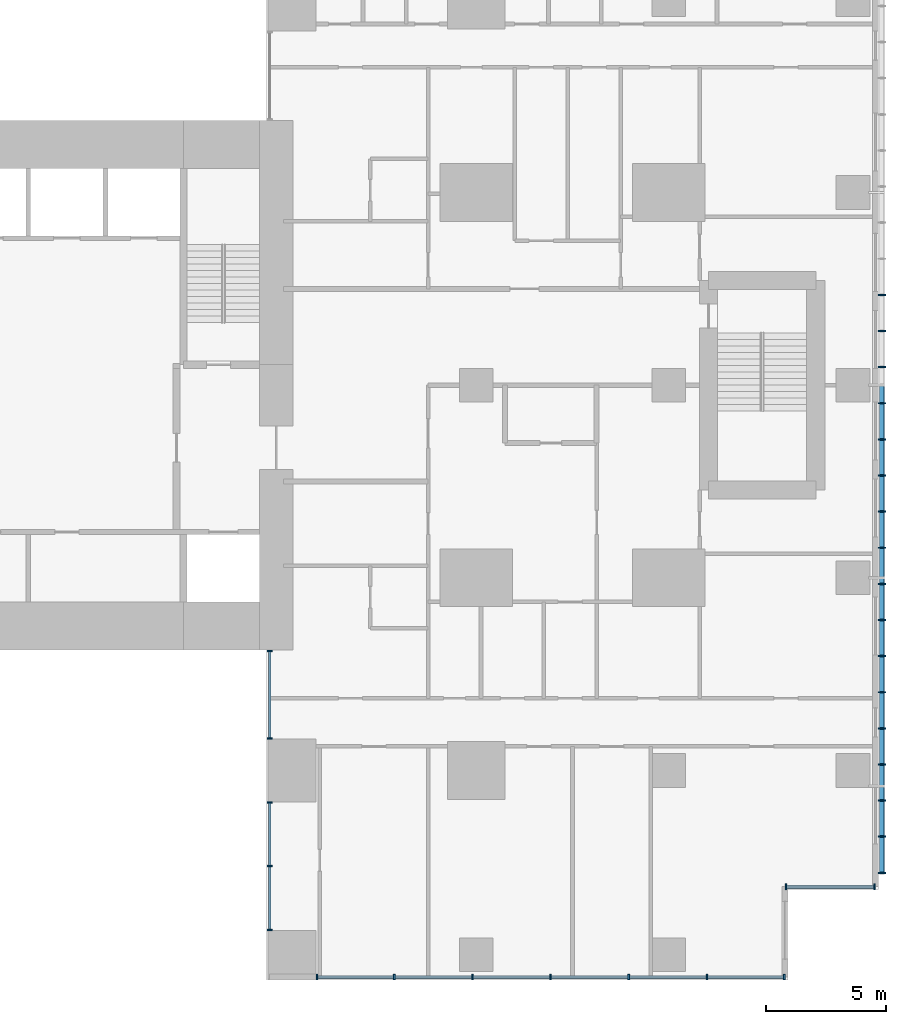
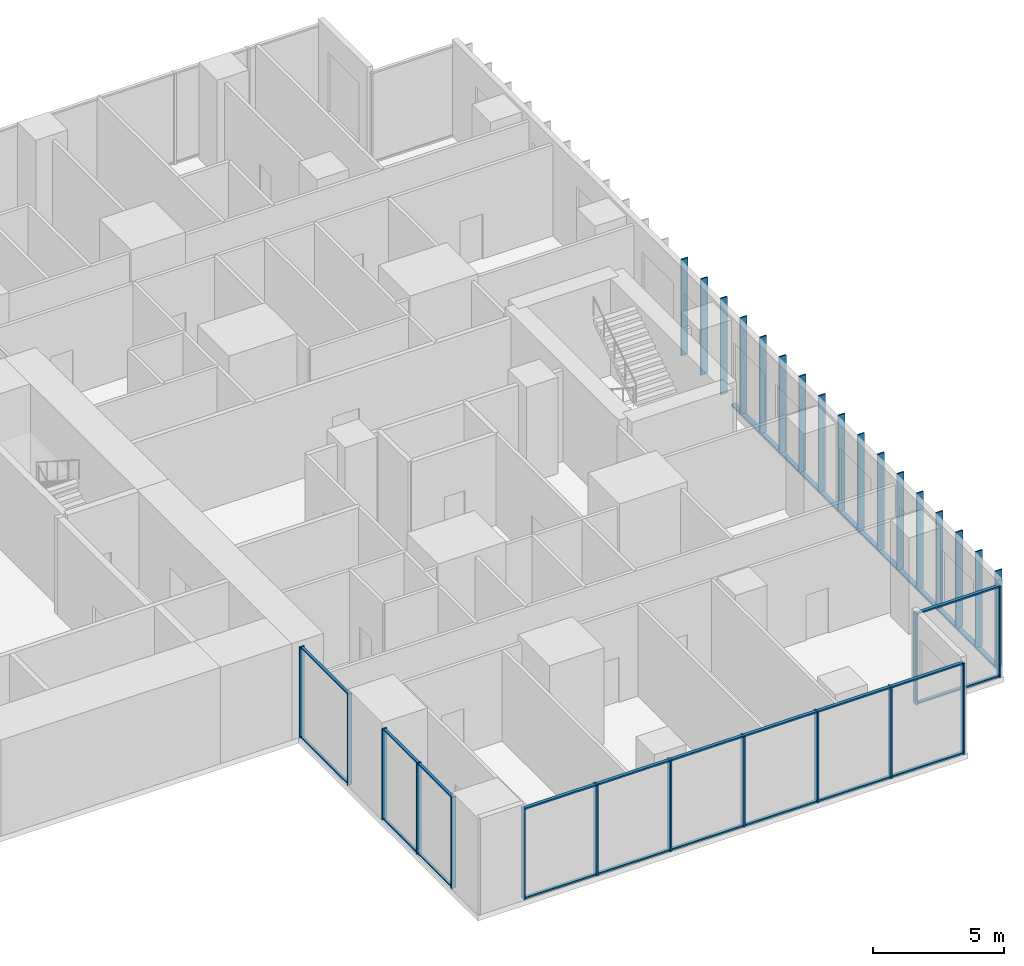
# One storey, part 2 of 12: 53 members, 4 elements without a shape of their own.
"""IFC4 building model written with IfcOpenShell, lengths in metres."""

import ifcopenshell
import ifcopenshell.guid

model = None  # the IFC model being written
_history = None  # IfcOwnerHistory: only IFC2X3 demands one
_inside = {}  # id of a spatial element -> (the spatial element, [elements in it])
_under = {}  # id of a project, library or spatial element -> (it, [spatial elements below it])
_declared = {}  # id of a project -> (the project, [libraries it declares])
_typed = {}  # id of a type object -> (the type object, [elements of that type])
_made_of = {}  # id of a material, layer set ... -> (it, [elements and type objects made of it])


def new_model(schema):
    """Start an empty IFC model of exactly this schema.

    Asked for "IFC4X3", IfcOpenShell would pick the latest addendum, in which some entities
    have other attributes; the version numbers below select the first issue.
    IFC2X3 requires an IfcOwnerHistory on every rooted entity: one is made here for all.
    """
    global model, _history
    if schema == "IFC4X3":
        model = ifcopenshell.file(schema_version=(4, 3, 0, 0))
    else:
        model = ifcopenshell.file(schema=schema)
    _inside.clear()
    _under.clear()
    _declared.clear()
    _typed.clear()
    _made_of.clear()
    _history = None
    if model.schema == "IFC2X3":
        org = make("IfcOrganization", Name="unknown")
        user = make(
            "IfcPersonAndOrganization",
            ThePerson=make("IfcPerson", FamilyName="unknown"),
            TheOrganization=org,
        )
        app = make(
            "IfcApplication",
            ApplicationDeveloper=org,
            Version="unknown",
            ApplicationFullName="unknown",
            ApplicationIdentifier="unknown",
        )
        _history = make(
            "IfcOwnerHistory",
            OwningUser=user,
            OwningApplication=app,
            ChangeAction="ADDED",
            CreationDate=0,
        )
    return model


def make(cls, **values):
    """One entity of the class cls with the attributes given. An attribute that is None is left unset."""
    return model.create_entity(
        cls, **{name: value for name, value in values.items() if value is not None}
    )


def rooted(cls, **values):
    """An entity with a GlobalId (a new one), such as an element, a storey or a relation."""
    return make(cls, GlobalId=ifcopenshell.guid.new(), OwnerHistory=_history, **values)


def si_unit(unit_type, name, prefix=None):
    """IfcSIUnit, for example si_unit("LENGTHUNIT", "METRE", prefix="MILLI")."""
    return make("IfcSIUnit", UnitType=unit_type, Prefix=prefix, Name=name)


def assignment(units):
    """IfcUnitAssignment: the units of a project."""
    return None if units is None else make("IfcUnitAssignment", Units=units)


def point(xyz):
    """IfcCartesianPoint."""
    return None if xyz is None else make("IfcCartesianPoint", Coordinates=xyz)


def direction(xyz):
    """IfcDirection."""
    return None if xyz is None else make("IfcDirection", DirectionRatios=xyz)


def frame(location, z_axis=None, x_axis=None):
    """IfcAxis2Placement3D, a coordinate frame: its origin and axes. An axis left out is left unset."""
    return make(
        "IfcAxis2Placement3D",
        Location=point(location),
        Axis=direction(z_axis),
        RefDirection=direction(x_axis),
    )


def frame_2d(location, x_axis=None):
    """IfcAxis2Placement2D, a coordinate frame in the plane: its origin and x axis."""
    return make(
        "IfcAxis2Placement2D", Location=point(location), RefDirection=direction(x_axis)
    )


def origin():
    """The frame at (0, 0, 0) with its axes left unset."""
    return frame((0.0, 0.0, 0.0))


def origin_2d():
    """The frame at (0, 0) in the plane with its x axis left unset."""
    return frame_2d((0.0, 0.0))


def place(relative_to, where):
    """IfcLocalPlacement: puts the frame where relative to a parent placement (None: the world)."""
    return make(
        "IfcLocalPlacement", PlacementRelTo=relative_to, RelativePlacement=where
    )


def context(
    kind, dimensions, precision=None, world=None, true_north=None, identifier=None
):
    """IfcGeometricRepresentationContext, for example the 3D "Model" context."""
    return make(
        "IfcGeometricRepresentationContext",
        ContextIdentifier=identifier,
        ContextType=kind,
        CoordinateSpaceDimension=dimensions,
        Precision=precision,
        WorldCoordinateSystem=world,
        TrueNorth=true_north,
    )


def subcontext(parent, identifier, kind, view, scale=None):
    """IfcGeometricRepresentationSubContext, for example "Body" below "Model"."""
    return make(
        "IfcGeometricRepresentationSubContext",
        ContextIdentifier=identifier,
        ContextType=kind,
        ParentContext=parent,
        TargetScale=scale,
        TargetView=view,
    )


def project(units=None, contexts=None):
    """IfcProject with its units and contexts."""
    return rooted(
        "IfcProject",
        Name="project",
        RepresentationContexts=contexts,
        UnitsInContext=assignment(units),
    )


def spatial(cls, under=None, at=None, **own):
    """A site, building, storey or space (cls), placed at a placement, below another one or the project."""
    s = rooted(cls, ObjectPlacement=at, **own)
    if under is not None:
        _under.setdefault(under.id(), (under, []))[1].append(s)
    return s


def profile(cls, at=None, kind="AREA", **sizes):
    """A parametric profile (cls). Its sizes go by their IFC names, for example OverallWidth=200.0."""
    return make(cls, ProfileType=kind, Position=at, **sizes)


def rectangle(**sizes):
    """IfcRectangleProfileDef."""
    return profile("IfcRectangleProfileDef", **sizes)


def hollow_rectangle(**sizes):
    """IfcRectangleHollowProfileDef."""
    return profile("IfcRectangleHollowProfileDef", **sizes)


def extrude(swept, where, along, depth):
    """IfcExtrudedAreaSolid: the profile swept, set in the frame where, extruded along a direction by depth."""
    return make(
        "IfcExtrudedAreaSolid",
        SweptArea=swept,
        Position=where,
        ExtrudedDirection=direction(along),
        Depth=depth,
    )


def shape(context_of_items, identifier, shape_type, items):
    """IfcShapeRepresentation: the items that make up one representation, for example the "Body"."""
    return make(
        "IfcShapeRepresentation",
        ContextOfItems=context_of_items,
        RepresentationIdentifier=identifier,
        RepresentationType=shape_type,
        Items=items,
    )


def material(Name=None, Category=None):
    """IfcMaterial."""
    return make("IfcMaterial", Name=Name, Category=Category)


def layer(
    of_material, thickness, ventilated=None, Name=None, Category=None, Priority=None
):
    """IfcMaterialLayer: one layer of a wall or slab, of a material (None: an air gap)."""
    return make(
        "IfcMaterialLayer",
        Material=of_material,
        LayerThickness=thickness,
        IsVentilated=ventilated,
        Name=Name,
        Category=Category,
        Priority=Priority,
    )


def layer_set(layers, Name=None):
    """IfcMaterialLayerSet."""
    return make("IfcMaterialLayerSet", MaterialLayers=layers, LayerSetName=Name)


def material_profile(
    of_material, cross_section, Name=None, Category=None, Priority=None
):
    """IfcMaterialProfile: a cross section and its material."""
    return make(
        "IfcMaterialProfile",
        Name=Name,
        Material=of_material,
        Profile=cross_section,
        Priority=Priority,
        Category=Category,
    )


def profile_set(profiles, Name=None, composite=None):
    """IfcMaterialProfileSet."""
    return make(
        "IfcMaterialProfileSet",
        Name=Name,
        MaterialProfiles=profiles,
        CompositeProfile=composite,
    )


def made_of(thing, what):
    """Note that an element or type object is made of a material, layer set ...; save() writes the relation."""
    if what is not None:
        _made_of.setdefault(what.id(), (what, []))[1].append(thing)
    return thing


def type_object(cls, material=None, **own):
    """A type object (cls), such as IfcWallType, which elements share."""
    return made_of(rooted(cls, **own), material)


def element(
    cls,
    number,
    at=None,
    inside=None,
    cuts=None,
    type_object=None,
    material=None,
    context=None,
    identifier="Body",
    shape_type=None,
    held_by="IfcProductDefinitionShape",
    body=None,
    shapes=None,
    **own,
):
    """One element of the class cls, such as IfcWall. Its Tag is "e" and its number.

    at: its placement. inside: the storey or other place that contains it. cuts: it is an
    opening in that element (IfcRelVoidsElement). A single representation is given by context,
    identifier, shape_type and body (its items); several are given by shapes. held_by: the class
    of the entity that holds the representations. save() writes the other relations.
    """
    e = rooted(cls, Tag="e%d" % number, ObjectPlacement=at, **own)
    if body is not None:
        shapes = [shape(context, identifier, shape_type, body)]
    if shapes is not None:
        e.Representation = make(held_by, Representations=shapes)
    if inside is not None:
        _inside.setdefault(inside.id(), (inside, []))[1].append(e)
    if cuts is not None:
        rooted(
            "IfcRelVoidsElement", RelatingBuildingElement=cuts, RelatedOpeningElement=e
        )
    if type_object is not None:
        _typed.setdefault(type_object.id(), (type_object, []))[1].append(e)
    return made_of(e, material)


def aggregate(whole, parts):
    """IfcRelAggregates: a whole, such as a stair, and the parts it consists of."""
    return rooted("IfcRelAggregates", RelatingObject=whole, RelatedObjects=parts)


def save(model, path):
    """Write the relations noted so far, then the file.

    IfcRelAggregates (storeys below a building ...), IfcRelContainedInSpatialStructure (elements
    in a storey), IfcRelDefinesByType, IfcRelAssociatesMaterial and IfcRelDeclares: one each for
    every whole, place, type object, material and project.
    """
    for whole, parts in _under.values():
        aggregate(whole, parts)
    for where, things in _inside.values():
        rooted(
            "IfcRelContainedInSpatialStructure",
            RelatedElements=things,
            RelatingStructure=where,
        )
    for kind, things in _typed.values():
        rooted("IfcRelDefinesByType", RelatedObjects=things, RelatingType=kind)
    for what, things in _made_of.values():
        rooted("IfcRelAssociatesMaterial", RelatedObjects=things, RelatingMaterial=what)
    for by, libraries in _declared.values():
        rooted("IfcRelDeclares", RelatingContext=by, RelatedDefinitions=libraries)
    model.write(path)


model = new_model("IFC4")

# Units and contexts
model_context = context("Model", 3, precision=1e-05, world=origin(), true_north=direction((0.0, 1.0)))
body_context = subcontext(model_context, "Body", "Model", "MODEL_VIEW")
ifc_project = project(units=[si_unit("LENGTHUNIT", "METRE"), si_unit("AREAUNIT", "SQUARE_METRE"), si_unit("VOLUMEUNIT", "CUBIC_METRE"), si_unit("PLANEANGLEUNIT", "RADIAN"), si_unit("MASSUNIT", "GRAM", prefix="KILO")], contexts=[model_context])

# Site, building, storey
site_placement = place(None, origin())
site = spatial("IfcSite", under=ifc_project, at=site_placement, CompositionType="ELEMENT")
building_placement = place(site_placement, origin())
building = spatial("IfcBuilding", under=site, at=building_placement, Name="Cleftline Residences", CompositionType="ELEMENT")
storey_placement = place(building_placement, frame((0.0, 0.0, 282.60009765625)))
storey = spatial("IfcBuildingStorey", under=building, at=storey_placement, Name="L74", CompositionType="ELEMENT", Elevation=282.60009765625)

# Members
ifc_material_1 = material(Name="Steel S355, hot-dip galvanised", Category="steel")
ifc_material_profile_1 = material_profile(ifc_material_1, hollow_rectangle(XDim=0.10009765625, YDim=0.199951171875, WallThickness=0.008056640625, InnerFilletRadius=0.008056640625, OuterFilletRadius=0.011962890625, at=origin_2d()))
ifc_profile_set_1 = profile_set([ifc_material_profile_1], Name="Steel S355, hot-dip galvanised")
member_type_1 = type_object("IfcMemberType", Name="BAGUETTE CARRIER RHS 200X100X8", PredefinedType="USERDEFINED", material=ifc_profile_set_1)
member_1_placement = place(storey_placement, frame((66.85009765625, 3.699951171875, -0.050048828125), z_axis=(0.0, 1.0, 0.0), x_axis=(0.0, 0.0, 1.0)))
element("IfcMember", 1, at=member_1_placement, inside=storey, type_object=member_type_1, Name="Baguette carrier", ObjectType="BAGUETTE CARRIER", PredefinedType="USERDEFINED", context=body_context, shape_type="SweptSolid", body=[
    extrude(hollow_rectangle(XDim=0.10009765625, YDim=0.199951171875, WallThickness=0.008056640625, InnerFilletRadius=0.008056640625, OuterFilletRadius=0.011962890625, at=origin_2d()), origin(), (0.0, 0.0, 1.0), 12.300048828125),
])
member_2_placement = place(storey_placement, frame((66.85009765625, 16.0, -0.050048828125), z_axis=(0.0, 1.0, 0.0), x_axis=(0.0, 0.0, 1.0)))
element("IfcMember", 2, at=member_2_placement, inside=storey, type_object=member_type_1, Name="Baguette carrier", ObjectType="BAGUETTE CARRIER", PredefinedType="USERDEFINED", context=body_context, shape_type="SweptSolid", body=[
    extrude(hollow_rectangle(XDim=0.10009765625, YDim=0.199951171875, WallThickness=0.008056640625, InnerFilletRadius=0.008056640625, OuterFilletRadius=0.011962890625, at=origin_2d()), origin(), (0.0, 0.0, 1.0), 8.0),
])

# Curtain wall, members
ifc_material_2 = material(Name="Aluminium framed curtain wall", Category="aluminium")
ifc_layer_1 = layer(ifc_material_2, 0.199951171875)
ifc_layer_set_1 = layer_set([ifc_layer_1], Name="CW1 CLEFT GLAZING")
curtain_wall_type_1 = type_object("IfcCurtainWallType", Name="CW1 CLEFT GLAZING", PredefinedType="NOTDEFINED", material=ifc_layer_set_1)
curtain_wall_1_placement = place(storey_placement, origin())
curtain_wall_1 = element("IfcCurtainWall", 3, at=curtain_wall_1_placement, inside=storey, type_object=curtain_wall_type_1, Name="Curtain wall CW1", PredefinedType="NOTDEFINED")
ifc_material_3 = material(Name="Aluminium mullion", Category="aluminium")
ifc_material_profile_2 = material_profile(ifc_material_3, rectangle(XDim=0.199951171875, YDim=0.06005859375, at=origin_2d()))
ifc_profile_set_2 = profile_set([ifc_material_profile_2], Name="Aluminium mullion")
member_type_2 = type_object("IfcMemberType", Name="CW1 MULLION", PredefinedType="MULLION", material=ifc_profile_set_2)
member_3_placement = place(storey_placement, frame((41.425048828125, 12.969970703125, 0.0), z_axis=(0.0, 0.0, 1.0), x_axis=(1.0, 0.0, 0.0)))
member_3 = element("IfcMember", 4, at=member_3_placement, type_object=member_type_2, Name="CW1 mullion 1", PredefinedType="MULLION", context=body_context, shape_type="SweptSolid", body=[
    extrude(rectangle(XDim=0.199951171875, YDim=0.06005859375, at=origin_2d()), origin(), (0.0, 0.0, 1.0), 4.25),
])
member_4_placement = place(storey_placement, frame((41.425048828125, 9.330078125, 0.0), z_axis=(0.0, 0.0, 1.0), x_axis=(1.0, 0.0, 0.0)))
member_4 = element("IfcMember", 5, at=member_4_placement, type_object=member_type_2, Name="CW1 mullion 2", PredefinedType="MULLION", context=body_context, shape_type="SweptSolid", body=[
    extrude(rectangle(XDim=0.199951171875, YDim=0.06005859375, at=origin_2d()), origin(), (0.0, 0.0, 1.0), 4.25),
])

curtain_wall_2_placement = place(storey_placement, origin())
curtain_wall_2 = element("IfcCurtainWall", 6, at=curtain_wall_2_placement, inside=storey, type_object=curtain_wall_type_1, Name="Curtain wall CW1", PredefinedType="NOTDEFINED")
member_5_placement = place(storey_placement, frame((41.425048828125, 6.669921875, 0.0), z_axis=(0.0, 0.0, 1.0), x_axis=(1.0, 0.0, 0.0)))
member_5 = element("IfcMember", 7, at=member_5_placement, type_object=member_type_2, Name="CW1 mullion 1", PredefinedType="MULLION", context=body_context, shape_type="SweptSolid", body=[
    extrude(rectangle(XDim=0.199951171875, YDim=0.06005859375, at=origin_2d()), origin(), (0.0, 0.0, 1.0), 4.25),
])
member_6_placement = place(storey_placement, frame((41.425048828125, 4.02490234375, 0.0), z_axis=(0.0, 0.0, 1.0), x_axis=(1.0, 0.0, 0.0)))
member_6 = element("IfcMember", 8, at=member_6_placement, type_object=member_type_2, Name="CW1 mullion 2", PredefinedType="MULLION", context=body_context, shape_type="SweptSolid", body=[
    extrude(rectangle(XDim=0.199951171875, YDim=0.06005859375, at=origin_2d()), origin(), (0.0, 0.0, 1.0), 4.25),
])
member_7_placement = place(storey_placement, frame((41.425048828125, 1.3798828125, 0.0), z_axis=(0.0, 0.0, 1.0), x_axis=(1.0, 0.0, 0.0)))
member_7 = element("IfcMember", 9, at=member_7_placement, type_object=member_type_2, Name="CW1 mullion 3", PredefinedType="MULLION", context=body_context, shape_type="SweptSolid", body=[
    extrude(rectangle(XDim=0.199951171875, YDim=0.06005859375, at=origin_2d()), origin(), (0.0, 0.0, 1.0), 4.25),
])

# Member
ifc_material_4 = material(Name="Aluminium transom", Category="aluminium")
ifc_material_profile_3 = material_profile(ifc_material_4, rectangle(XDim=0.1201171875, YDim=0.06005859375, at=origin_2d()))
ifc_profile_set_3 = profile_set([ifc_material_profile_3], Name="Aluminium transom")
member_type_3 = type_object("IfcMemberType", Name="CW1 TRANSOM", PredefinedType="USERDEFINED", material=ifc_profile_set_3)
member_8_placement = place(storey_placement, frame((41.425048828125, 12.93994140625, 0.02978515625), z_axis=(0.0, -1.0, 0.0), x_axis=(1.0, 0.0, 0.0)))
member_8 = element("IfcMember", 10, at=member_8_placement, type_object=member_type_3, Name="CW1 transom 1.1", ObjectType="TRANSOM", PredefinedType="USERDEFINED", context=body_context, shape_type="SweptSolid", body=[
    extrude(rectangle(XDim=0.1201171875, YDim=0.06005859375, at=origin_2d()), origin(), (0.0, 0.0, 1.0), 3.579833984375),
])

member_9_placement = place(storey_placement, frame((41.425048828125, 12.93994140625, 4.219970703125), z_axis=(0.0, -1.0, 0.0), x_axis=(1.0, 0.0, 0.0)))
member_9 = element("IfcMember", 11, at=member_9_placement, type_object=member_type_3, Name="CW1 transom 1.2", ObjectType="TRANSOM", PredefinedType="USERDEFINED", context=body_context, shape_type="SweptSolid", body=[
    extrude(rectangle(XDim=0.1201171875, YDim=0.06005859375, at=origin_2d()), origin(), (0.0, 0.0, 1.0), 3.579833984375),
])

aggregate(curtain_wall_1, [member_3, member_4, member_8, member_9])

member_10_placement = place(storey_placement, frame((41.425048828125, 6.639892578125, 0.02978515625), z_axis=(0.0, -1.0, 0.0), x_axis=(1.0, 0.0, 0.0)))
member_10 = element("IfcMember", 12, at=member_10_placement, type_object=member_type_3, Name="CW1 transom 1.1", ObjectType="TRANSOM", PredefinedType="USERDEFINED", context=body_context, shape_type="SweptSolid", body=[
    extrude(rectangle(XDim=0.1201171875, YDim=0.06005859375, at=origin_2d()), origin(), (0.0, 0.0, 1.0), 2.5849609375),
])

member_11_placement = place(storey_placement, frame((41.425048828125, 6.639892578125, 4.219970703125), z_axis=(0.0, -1.0, 0.0), x_axis=(1.0, 0.0, 0.0)))
member_11 = element("IfcMember", 13, at=member_11_placement, type_object=member_type_3, Name="CW1 transom 1.2", ObjectType="TRANSOM", PredefinedType="USERDEFINED", context=body_context, shape_type="SweptSolid", body=[
    extrude(rectangle(XDim=0.1201171875, YDim=0.06005859375, at=origin_2d()), origin(), (0.0, 0.0, 1.0), 2.5849609375),
])

member_12_placement = place(storey_placement, frame((41.425048828125, 3.9951171875, 0.02978515625), z_axis=(0.0, -1.0, 0.0), x_axis=(1.0, 0.0, 0.0)))
member_12 = element("IfcMember", 14, at=member_12_placement, type_object=member_type_3, Name="CW1 transom 2.1", ObjectType="TRANSOM", PredefinedType="USERDEFINED", context=body_context, shape_type="SweptSolid", body=[
    extrude(rectangle(XDim=0.1201171875, YDim=0.06005859375, at=origin_2d()), origin(), (0.0, 0.0, 1.0), 2.585205078125),
])

member_13_placement = place(storey_placement, frame((41.425048828125, 3.9951171875, 4.219970703125), z_axis=(0.0, -1.0, 0.0), x_axis=(1.0, 0.0, 0.0)))
member_13 = element("IfcMember", 15, at=member_13_placement, type_object=member_type_3, Name="CW1 transom 2.2", ObjectType="TRANSOM", PredefinedType="USERDEFINED", context=body_context, shape_type="SweptSolid", body=[
    extrude(rectangle(XDim=0.1201171875, YDim=0.06005859375, at=origin_2d()), origin(), (0.0, 0.0, 1.0), 2.585205078125),
])

aggregate(curtain_wall_2, [member_5, member_6, member_7, member_10, member_11, member_12, member_13])

# Curtain wall, members
ifc_material_5 = material(Name="Aluminium framed curtain wall", Category="aluminium")
ifc_layer_2 = layer(ifc_material_5, 0.199951171875)
ifc_layer_set_2 = layer_set([ifc_layer_2], Name="CW5 PENTHOUSE GLAZING")
curtain_wall_type_2 = type_object("IfcCurtainWallType", Name="CW5 PENTHOUSE GLAZING", PredefinedType="NOTDEFINED", material=ifc_layer_set_2)
curtain_wall_3_placement = place(storey_placement, origin())
curtain_wall_3 = element("IfcCurtainWall", 16, at=curtain_wall_3_placement, inside=storey, type_object=curtain_wall_type_2, Name="Curtain wall CW5", PredefinedType="NOTDEFINED")
ifc_material_6 = material(Name="Aluminium mullion", Category="aluminium")
ifc_material_profile_4 = material_profile(ifc_material_6, rectangle(XDim=0.239990234375, YDim=0.070068359375, at=origin_2d()))
ifc_profile_set_4 = profile_set([ifc_material_profile_4], Name="Aluminium mullion")
member_type_4 = type_object("IfcMemberType", Name="CW5 MULLION", PredefinedType="MULLION", material=ifc_profile_set_4)
member_14_placement = place(storey_placement, frame((43.385009765625, -0.574951171875, 0.0), z_axis=(0.0, 0.0, 1.0), x_axis=(0.0, 1.0, 0.0)))
member_14 = element("IfcMember", 17, at=member_14_placement, type_object=member_type_4, Name="CW5 mullion 1", PredefinedType="MULLION", context=body_context, shape_type="SweptSolid", body=[
    extrude(rectangle(XDim=0.239990234375, YDim=0.070068359375, at=origin_2d()), origin(), (0.0, 0.0, 1.0), 4.25),
])
member_15_placement = place(storey_placement, frame((46.595947265625, -0.574951171875, 0.0), z_axis=(0.0, 0.0, 1.0), x_axis=(0.0, 1.0, 0.0)))
member_15 = element("IfcMember", 18, at=member_15_placement, type_object=member_type_4, Name="CW5 mullion 2", PredefinedType="MULLION", context=body_context, shape_type="SweptSolid", body=[
    extrude(rectangle(XDim=0.239990234375, YDim=0.070068359375, at=origin_2d()), origin(), (0.0, 0.0, 1.0), 4.25),
])
member_16_placement = place(storey_placement, frame((49.841552734375, -0.574951171875, 0.0), z_axis=(0.0, 0.0, 1.0), x_axis=(0.0, 1.0, 0.0)))
member_16 = element("IfcMember", 19, at=member_16_placement, type_object=member_type_4, Name="CW5 mullion 3", PredefinedType="MULLION", context=body_context, shape_type="SweptSolid", body=[
    extrude(rectangle(XDim=0.239990234375, YDim=0.070068359375, at=origin_2d()), origin(), (0.0, 0.0, 1.0), 4.25),
])
member_17_placement = place(storey_placement, frame((53.08740234375, -0.574951171875, 0.0), z_axis=(0.0, 0.0, 1.0), x_axis=(0.0, 1.0, 0.0)))
member_17 = element("IfcMember", 20, at=member_17_placement, type_object=member_type_4, Name="CW5 mullion 4", PredefinedType="MULLION", context=body_context, shape_type="SweptSolid", body=[
    extrude(rectangle(XDim=0.239990234375, YDim=0.070068359375, at=origin_2d()), origin(), (0.0, 0.0, 1.0), 4.25),
])
member_18_placement = place(storey_placement, frame((56.333251953125, -0.574951171875, 0.0), z_axis=(0.0, 0.0, 1.0), x_axis=(0.0, 1.0, 0.0)))
member_18 = element("IfcMember", 21, at=member_18_placement, type_object=member_type_4, Name="CW5 mullion 5", PredefinedType="MULLION", context=body_context, shape_type="SweptSolid", body=[
    extrude(rectangle(XDim=0.239990234375, YDim=0.070068359375, at=origin_2d()), origin(), (0.0, 0.0, 1.0), 4.25),
])
member_19_placement = place(storey_placement, frame((59.5791015625, -0.574951171875, 0.0), z_axis=(0.0, 0.0, 1.0), x_axis=(0.0, 1.0, 0.0)))
member_19 = element("IfcMember", 22, at=member_19_placement, type_object=member_type_4, Name="CW5 mullion 6", PredefinedType="MULLION", context=body_context, shape_type="SweptSolid", body=[
    extrude(rectangle(XDim=0.239990234375, YDim=0.070068359375, at=origin_2d()), origin(), (0.0, 0.0, 1.0), 4.25),
])
member_20_placement = place(storey_placement, frame((62.7900390625, -0.574951171875, 0.0), z_axis=(0.0, 0.0, 1.0), x_axis=(0.0, 1.0, 0.0)))
member_20 = element("IfcMember", 23, at=member_20_placement, type_object=member_type_4, Name="CW5 mullion 7", PredefinedType="MULLION", context=body_context, shape_type="SweptSolid", body=[
    extrude(rectangle(XDim=0.239990234375, YDim=0.070068359375, at=origin_2d()), origin(), (0.0, 0.0, 1.0), 4.25),
])

curtain_wall_4_placement = place(storey_placement, origin())
curtain_wall_4 = element("IfcCurtainWall", 24, at=curtain_wall_4_placement, inside=storey, type_object=curtain_wall_type_2, Name="Curtain wall CW5", PredefinedType="NOTDEFINED")
member_21_placement = place(storey_placement, frame((62.860107421875, 3.175048828125, 0.0), z_axis=(0.0, 0.0, 1.0), x_axis=(0.0, 1.0, 0.0)))
member_21 = element("IfcMember", 25, at=member_21_placement, type_object=member_type_4, Name="CW5 mullion 1", PredefinedType="MULLION", context=body_context, shape_type="SweptSolid", body=[
    extrude(rectangle(XDim=0.239990234375, YDim=0.070068359375, at=origin_2d()), origin(), (0.0, 0.0, 1.0), 4.25),
])
member_22_placement = place(storey_placement, frame((66.5400390625, 3.175048828125, 0.0), z_axis=(0.0, 0.0, 1.0), x_axis=(0.0, 1.0, 0.0)))
member_22 = element("IfcMember", 26, at=member_22_placement, type_object=member_type_4, Name="CW5 mullion 2", PredefinedType="MULLION", context=body_context, shape_type="SweptSolid", body=[
    extrude(rectangle(XDim=0.239990234375, YDim=0.070068359375, at=origin_2d()), origin(), (0.0, 0.0, 1.0), 4.25),
])

# Member
ifc_material_7 = material(Name="Aluminium transom", Category="aluminium")
ifc_material_profile_5 = material_profile(ifc_material_7, rectangle(XDim=0.14404296875, YDim=0.070068359375, at=origin_2d()))
ifc_profile_set_5 = profile_set([ifc_material_profile_5], Name="Aluminium transom")
member_type_5 = type_object("IfcMemberType", Name="CW5 TRANSOM", PredefinedType="USERDEFINED", material=ifc_profile_set_5)
member_23_placement = place(storey_placement, frame((43.419921875, -0.574951171875, 0.034912109375), z_axis=(1.0, 0.0, 0.0), x_axis=(0.0, 1.0, 0.0)))
member_23 = element("IfcMember", 27, at=member_23_placement, type_object=member_type_5, Name="CW5 transom 1.1", ObjectType="TRANSOM", PredefinedType="USERDEFINED", context=body_context, shape_type="SweptSolid", body=[
    extrude(rectangle(XDim=0.14404296875, YDim=0.070068359375, at=origin_2d()), origin(), (0.0, 0.0, 1.0), 3.140869140625),
])

member_24_placement = place(storey_placement, frame((43.419921875, -0.574951171875, 4.21484375), z_axis=(1.0, 0.0, 0.0), x_axis=(0.0, 1.0, 0.0)))
member_24 = element("IfcMember", 28, at=member_24_placement, type_object=member_type_5, Name="CW5 transom 1.2", ObjectType="TRANSOM", PredefinedType="USERDEFINED", context=body_context, shape_type="SweptSolid", body=[
    extrude(rectangle(XDim=0.14404296875, YDim=0.070068359375, at=origin_2d()), origin(), (0.0, 0.0, 1.0), 3.140869140625),
])

member_25_placement = place(storey_placement, frame((46.630859375, -0.574951171875, 0.034912109375), z_axis=(1.0, 0.0, 0.0), x_axis=(0.0, 1.0, 0.0)))
member_25 = element("IfcMember", 29, at=member_25_placement, type_object=member_type_5, Name="CW5 transom 2.1", ObjectType="TRANSOM", PredefinedType="USERDEFINED", context=body_context, shape_type="SweptSolid", body=[
    extrude(rectangle(XDim=0.14404296875, YDim=0.070068359375, at=origin_2d()), origin(), (0.0, 0.0, 1.0), 3.17578125),
])

member_26_placement = place(storey_placement, frame((46.630859375, -0.574951171875, 4.21484375), z_axis=(1.0, 0.0, 0.0), x_axis=(0.0, 1.0, 0.0)))
member_26 = element("IfcMember", 30, at=member_26_placement, type_object=member_type_5, Name="CW5 transom 2.2", ObjectType="TRANSOM", PredefinedType="USERDEFINED", context=body_context, shape_type="SweptSolid", body=[
    extrude(rectangle(XDim=0.14404296875, YDim=0.070068359375, at=origin_2d()), origin(), (0.0, 0.0, 1.0), 3.17578125),
])

member_27_placement = place(storey_placement, frame((49.876708984375, -0.574951171875, 0.034912109375), z_axis=(1.0, 0.0, 0.0), x_axis=(0.0, 1.0, 0.0)))
member_27 = element("IfcMember", 31, at=member_27_placement, type_object=member_type_5, Name="CW5 transom 3.1", ObjectType="TRANSOM", PredefinedType="USERDEFINED", context=body_context, shape_type="SweptSolid", body=[
    extrude(rectangle(XDim=0.14404296875, YDim=0.070068359375, at=origin_2d()), origin(), (0.0, 0.0, 1.0), 3.17578125),
])

member_28_placement = place(storey_placement, frame((49.876708984375, -0.574951171875, 4.21484375), z_axis=(1.0, 0.0, 0.0), x_axis=(0.0, 1.0, 0.0)))
member_28 = element("IfcMember", 32, at=member_28_placement, type_object=member_type_5, Name="CW5 transom 3.2", ObjectType="TRANSOM", PredefinedType="USERDEFINED", context=body_context, shape_type="SweptSolid", body=[
    extrude(rectangle(XDim=0.14404296875, YDim=0.070068359375, at=origin_2d()), origin(), (0.0, 0.0, 1.0), 3.17578125),
])

member_29_placement = place(storey_placement, frame((53.12255859375, -0.574951171875, 0.034912109375), z_axis=(1.0, 0.0, 0.0), x_axis=(0.0, 1.0, 0.0)))
member_29 = element("IfcMember", 33, at=member_29_placement, type_object=member_type_5, Name="CW5 transom 4.1", ObjectType="TRANSOM", PredefinedType="USERDEFINED", context=body_context, shape_type="SweptSolid", body=[
    extrude(rectangle(XDim=0.14404296875, YDim=0.070068359375, at=origin_2d()), origin(), (0.0, 0.0, 1.0), 3.17578125),
])

member_30_placement = place(storey_placement, frame((53.12255859375, -0.574951171875, 4.21484375), z_axis=(1.0, 0.0, 0.0), x_axis=(0.0, 1.0, 0.0)))
member_30 = element("IfcMember", 34, at=member_30_placement, type_object=member_type_5, Name="CW5 transom 4.2", ObjectType="TRANSOM", PredefinedType="USERDEFINED", context=body_context, shape_type="SweptSolid", body=[
    extrude(rectangle(XDim=0.14404296875, YDim=0.070068359375, at=origin_2d()), origin(), (0.0, 0.0, 1.0), 3.17578125),
])

member_31_placement = place(storey_placement, frame((56.368408203125, -0.574951171875, 0.034912109375), z_axis=(1.0, 0.0, 0.0), x_axis=(0.0, 1.0, 0.0)))
member_31 = element("IfcMember", 35, at=member_31_placement, type_object=member_type_5, Name="CW5 transom 5.1", ObjectType="TRANSOM", PredefinedType="USERDEFINED", context=body_context, shape_type="SweptSolid", body=[
    extrude(rectangle(XDim=0.14404296875, YDim=0.070068359375, at=origin_2d()), origin(), (0.0, 0.0, 1.0), 3.17578125),
])

member_32_placement = place(storey_placement, frame((56.368408203125, -0.574951171875, 4.21484375), z_axis=(1.0, 0.0, 0.0), x_axis=(0.0, 1.0, 0.0)))
member_32 = element("IfcMember", 36, at=member_32_placement, type_object=member_type_5, Name="CW5 transom 5.2", ObjectType="TRANSOM", PredefinedType="USERDEFINED", context=body_context, shape_type="SweptSolid", body=[
    extrude(rectangle(XDim=0.14404296875, YDim=0.070068359375, at=origin_2d()), origin(), (0.0, 0.0, 1.0), 3.17578125),
])

member_33_placement = place(storey_placement, frame((59.6142578125, -0.574951171875, 0.034912109375), z_axis=(1.0, 0.0, 0.0), x_axis=(0.0, 1.0, 0.0)))
member_33 = element("IfcMember", 37, at=member_33_placement, type_object=member_type_5, Name="CW5 transom 6.1", ObjectType="TRANSOM", PredefinedType="USERDEFINED", context=body_context, shape_type="SweptSolid", body=[
    extrude(rectangle(XDim=0.14404296875, YDim=0.070068359375, at=origin_2d()), origin(), (0.0, 0.0, 1.0), 3.140625),
])

member_34_placement = place(storey_placement, frame((59.6142578125, -0.574951171875, 4.21484375), z_axis=(1.0, 0.0, 0.0), x_axis=(0.0, 1.0, 0.0)))
member_34 = element("IfcMember", 38, at=member_34_placement, type_object=member_type_5, Name="CW5 transom 6.2", ObjectType="TRANSOM", PredefinedType="USERDEFINED", context=body_context, shape_type="SweptSolid", body=[
    extrude(rectangle(XDim=0.14404296875, YDim=0.070068359375, at=origin_2d()), origin(), (0.0, 0.0, 1.0), 3.140625),
])

aggregate(curtain_wall_3, [member_14, member_15, member_16, member_17, member_18, member_19, member_20, member_23, member_24, member_25, member_26, member_27, member_28, member_29, member_30, member_31, member_32, member_33, member_34])

member_35_placement = place(storey_placement, frame((62.89501953125, 3.175048828125, 0.034912109375), z_axis=(1.0, 0.0, 0.0), x_axis=(0.0, 1.0, 0.0)))
member_35 = element("IfcMember", 39, at=member_35_placement, type_object=member_type_5, Name="CW5 transom 1.1", ObjectType="TRANSOM", PredefinedType="USERDEFINED", context=body_context, shape_type="SweptSolid", body=[
    extrude(rectangle(XDim=0.14404296875, YDim=0.070068359375, at=origin_2d()), origin(), (0.0, 0.0, 1.0), 3.60986328125),
])

member_36_placement = place(storey_placement, frame((62.89501953125, 3.175048828125, 4.21484375), z_axis=(1.0, 0.0, 0.0), x_axis=(0.0, 1.0, 0.0)))
member_36 = element("IfcMember", 40, at=member_36_placement, type_object=member_type_5, Name="CW5 transom 1.2", ObjectType="TRANSOM", PredefinedType="USERDEFINED", context=body_context, shape_type="SweptSolid", body=[
    extrude(rectangle(XDim=0.14404296875, YDim=0.070068359375, at=origin_2d()), origin(), (0.0, 0.0, 1.0), 3.60986328125),
])

aggregate(curtain_wall_4, [member_21, member_22, member_35, member_36])

# Members
ifc_material_8 = material(Name="Extruded terracotta", Category="masonry")
ifc_material_profile_6 = material_profile(ifc_material_8, rectangle(XDim=0.06005859375, YDim=0.300048828125, at=origin_2d()))
ifc_profile_set_6 = profile_set([ifc_material_profile_6], Name="Extruded terracotta")
member_type_6 = type_object("IfcMemberType", Name="TERRACOTTA BAGUETTE 60X300", PredefinedType="USERDEFINED", material=ifc_profile_set_6)
for number, where, z_axis, x_axis, name in (
    (41, (66.85009765625, 3.75, 0.0), (0.0, 0.0, 1.0), (0.0, 1.0, 0.0), "Terracotta baguette"),
    (42, (66.85009765625, 5.25, 0.0), (0.0, 0.0, 1.0), (0.0, 1.0, 0.0), "Terracotta baguette"),
    (43, (66.85009765625, 6.75, 0.0), (0.0, 0.0, 1.0), (0.0, 1.0, 0.0), "Terracotta baguette"),
    (44, (66.85009765625, 8.25, 0.0), (0.0, 0.0, 1.0), (0.0, 1.0, 0.0), "Terracotta baguette"),
    (45, (66.85009765625, 9.75, 0.0), (0.0, 0.0, 1.0), (0.0, 1.0, 0.0), "Terracotta baguette"),
    (46, (66.85009765625, 11.25, 0.0), (0.0, 0.0, 1.0), (0.0, 1.0, 0.0), "Terracotta baguette"),
    (47, (66.85009765625, 12.75, 0.0), (0.0, 0.0, 1.0), (0.0, 1.0, 0.0), "Terracotta baguette"),
    (48, (66.85009765625, 14.25, 0.0), (0.0, 0.0, 1.0), (0.0, 1.0, 0.0), "Terracotta baguette"),
    (49, (66.85009765625, 15.75, 0.0), (0.0, 0.0, 1.0), (0.0, 1.0, 0.0), "Terracotta baguette"),
    (50, (66.85009765625, 17.25, 0.0), (0.0, 0.0, 1.0), (0.0, 1.0, 0.0), "Terracotta baguette"),
    (51, (66.85009765625, 18.75, 0.0), (0.0, 0.0, 1.0), (0.0, 1.0, 0.0), "Terracotta baguette"),
    (52, (66.85009765625, 20.25, 0.0), (0.0, 0.0, 1.0), (0.0, 1.0, 0.0), "Terracotta baguette"),
    (53, (66.85009765625, 21.75, 0.0), (0.0, 0.0, 1.0), (0.0, 1.0, 0.0), "Terracotta baguette"),
    (54, (66.85009765625, 23.25, 0.0), (0.0, 0.0, 1.0), (0.0, 1.0, 0.0), "Terracotta baguette"),
    (55, (66.85009765625, 24.75, 0.0), (0.0, 0.0, 1.0), (0.0, 1.0, 0.0), "Terracotta baguette"),
    (56, (66.85009765625, 26.25, 0.0), (0.0, 0.0, 1.0), (0.0, 1.0, 0.0), "Terracotta baguette"),
    (57, (66.85009765625, 27.75, 0.0), (0.0, 0.0, 1.0), (0.0, 1.0, 0.0), "Terracotta baguette"),
):
    element("IfcMember", number, at=place(storey_placement, frame(where, z_axis=z_axis, x_axis=x_axis)), inside=storey, type_object=member_type_6, Name=name, ObjectType="BAGUETTE", PredefinedType="USERDEFINED", context=body_context, shape_type="SweptSolid", body=[
        extrude(rectangle(XDim=0.06005859375, YDim=0.300048828125, at=origin_2d()), origin(), (0.0, 0.0, 1.0), 4.5),
    ])

save(model, "model.ifc")
